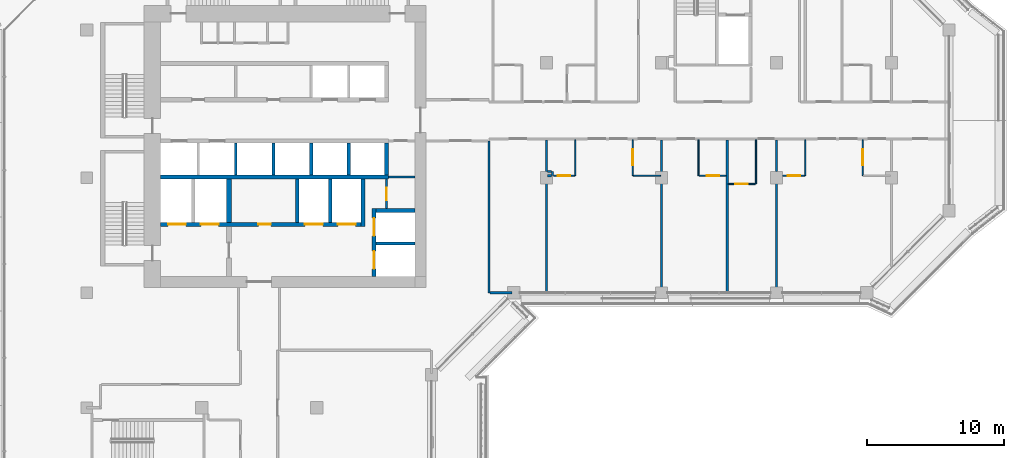
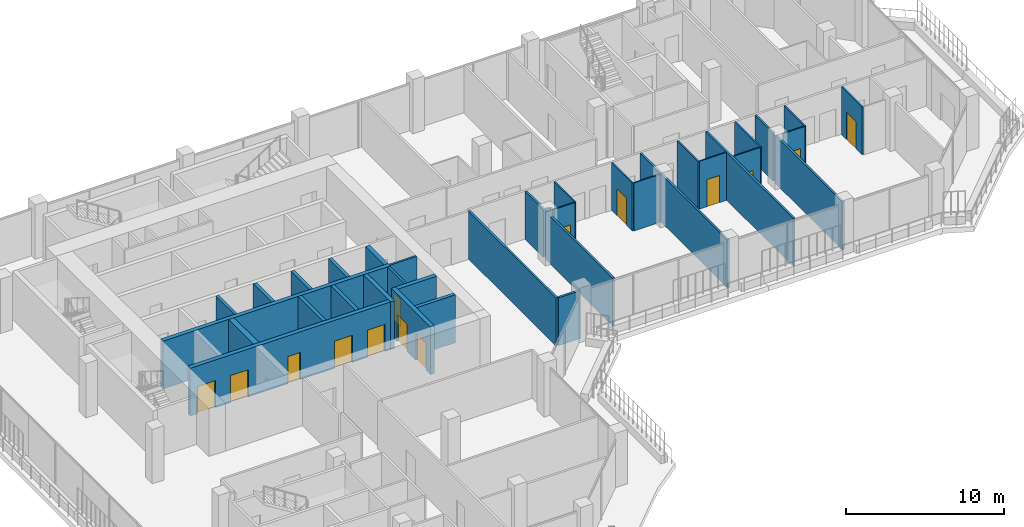
# One storey, part 11 of 23: 38 walls, 14 doors, 14 openings.
"""IFC4 building model written with IfcOpenShell, lengths in metres."""

from ifc_helpers import new_model, si_unit, direction, frame, frame_2d, origin, place, context, subcontext, project, spatial, rectangle, extrude, material, layer, layer_set, type_object, element, fill, save


model = new_model("IFC4")

# Units and contexts
model_context = context("Model", 3, precision=1e-05, world=origin(), true_north=direction((0.0, 1.0)))
body_context = subcontext(model_context, "Body", "Model", "MODEL_VIEW")
ifc_project = project(units=[si_unit("LENGTHUNIT", "METRE"), si_unit("AREAUNIT", "SQUARE_METRE"), si_unit("VOLUMEUNIT", "CUBIC_METRE"), si_unit("PLANEANGLEUNIT", "RADIAN"), si_unit("MASSUNIT", "GRAM", prefix="KILO")], contexts=[model_context])

# Site, building, storey
site_placement = place(None, origin())
site = spatial("IfcSite", under=ifc_project, at=site_placement, CompositionType="ELEMENT")
building_placement = place(site_placement, origin())
building = spatial("IfcBuilding", under=site, at=building_placement, Name="Kawkab Arch Medical Tower", CompositionType="ELEMENT")
storey_placement = place(building_placement, frame((0.0, 0.0, 268.39990234375)))
storey = spatial("IfcBuildingStorey", under=building, at=storey_placement, Name="L62", CompositionType="ELEMENT", Elevation=268.39990234375)

# Wall, opening, door
ifc_material_1 = material(Name="Gypsum board on steel studs", Category="steel")
ifc_layer_1 = layer(ifc_material_1, 0.14990234375)
ifc_layer_set_1 = layer_set([ifc_layer_1], Name="Gypsum board on steel studs")
wall_type_1 = type_object("IfcWallType", Name="Core room partition 150", PredefinedType="PARTITIONING", material=ifc_layer_set_1)
wall_1_placement = place(storey_placement, frame((21.89990234375, -19.050048828125, 0.0), z_axis=(0.0, 0.0, 1.0), x_axis=(0.0, 1.0, 0.0)))
wall_1 = element("IfcWall", 1, at=wall_1_placement, inside=storey, type_object=wall_type_1, Name="L62 core room partition", PredefinedType="PARTITIONING", context=body_context, shape_type="SweptSolid", body=[
    extrude(rectangle(XDim=2.150146484375, YDim=0.14990234375, at=frame_2d((1.0751953125, 0.0))), origin(), (0.0, 0.0, 1.0), 3.7001953125),
])
opening_1_placement = place(wall_1_placement, frame((0.625, 0.0, 0.0)))
opening_1 = element("IfcOpeningElement", 2, at=opening_1_placement, cuts=wall_1, Name="Opening RD", PredefinedType="OPENING", context=body_context, shape_type="SweptSolid", body=[
    extrude(rectangle(XDim=0.89990234375, YDim=2.10009765625, at=frame_2d((0.449951171875, 1.050048828125))), frame((0.0, 0.0849609375, 0.0), z_axis=(0.0, -1.0, 0.0), x_axis=(1.0, 0.0, 0.0)), (0.0, 0.0, 1.0), 0.169921875),
])
ifc_material_2 = material(Name="Hollow metal fire door leaf")
door_type_1 = type_object("IfcDoorType", Name="Core room door 900", OperationType="SINGLE_SWING_LEFT", PredefinedType="DOOR", material=ifc_material_2)
door_1_placement = place(opening_1_placement, origin())
door_1 = element("IfcDoor", 3, at=door_1_placement, inside=storey, type_object=door_type_1, Name="L62 Staff WC door", OperationType="SINGLE_SWING_LEFT", OverallHeight=2.10009765625, OverallWidth=0.89990234375, PredefinedType="DOOR", context=body_context, shape_type="SweptSolid", body=[
    extrude(rectangle(XDim=0.89990234375, YDim=2.10009765625, at=frame_2d((0.449951171875, 1.050048828125))), frame((0.0, 0.02490234375, 0.0), z_axis=(0.0, -1.0, 0.0), x_axis=(1.0, 0.0, 0.0)), (0.0, 0.0, 1.0), 0.050048828125),
])
fill(opening_1, door_1)

# Walls
wall_2_placement = place(storey_placement, frame((22.050048828125, -16.75, 0.0), z_axis=(0.0, 0.0, 1.0), x_axis=(1.0, 0.0, 0.0)))
element("IfcWall", 4, at=wall_2_placement, inside=storey, type_object=wall_type_1, Name="L62 core room partition", PredefinedType="PARTITIONING", context=body_context, shape_type="SweptSolid", body=[
    extrude(rectangle(XDim=1.949951171875, YDim=0.14990234375, at=frame_2d((0.97509765625, 0.0))), origin(), (0.0, 0.0, 1.0), 3.7001953125),
])
ifc_material_3 = material(Name="Concrete C60/75", Category="concrete")
ifc_layer_2 = layer(ifc_material_3, 0.25)
ifc_layer_set_2 = layer_set([ifc_layer_2], Name="Concrete C60/75")
wall_type_2 = type_object("IfcWallType", Name="Core shear wall 250 C60/75", PredefinedType="SHEAR", material=ifc_layer_set_2)
wall_3_placement = place(storey_placement, frame((21.14990234375, -21.60009765625, 0.0), z_axis=(0.0, 0.0, 1.0), x_axis=(1.0, 0.0, 0.0)))
element("IfcWall", 5, at=wall_3_placement, inside=storey, type_object=wall_type_2, Name="L62 core shear wall", PredefinedType="SHEAR", context=body_context, shape_type="SweptSolid", body=[
    extrude(rectangle(XDim=2.85009765625, YDim=0.25, at=frame_2d((1.425048828125, 0.0))), origin(), (0.0, 0.0, 1.0), 3.7001953125),
])
for number, where, z_axis, x_axis, name in (
    (6, (15.39990234375, -20.050048828125, 0.0), (0.0, 0.0, 1.0), (0.0, 1.0, 0.0), "L62 core shear wall"),
    (7, (17.800048828125, -20.050048828125, 0.0), (0.0, 0.0, 1.0), (0.0, 1.0, 0.0), "L62 core shear wall"),
):
    element("IfcWall", number, at=place(storey_placement, frame(where, z_axis=z_axis, x_axis=x_axis)), inside=storey, type_object=wall_type_2, Name=name, PredefinedType="SHEAR", context=body_context, shape_type="SweptSolid", body=[
        extrude(rectangle(XDim=3.150146484375, YDim=0.25, at=frame_2d((1.5751953125, 0.0))), origin(), (0.0, 0.0, 1.0), 3.7001953125),
    ])
for number, where, z_axis, x_axis, name in (
    (8, (13.64990234375, -16.60009765625, 0.0), (0.0, 0.0, 1.0), (0.0, 1.0, 0.0), "L62 core shear wall"),
    (9, (16.39990234375, -16.60009765625, 0.0), (0.0, 0.0, 1.0), (0.0, 1.0, 0.0), "L62 core shear wall"),
    (10, (19.14990234375, -16.60009765625, 0.0), (0.0, 0.0, 1.0), (0.0, 1.0, 0.0), "L62 core shear wall"),
):
    element("IfcWall", number, at=place(storey_placement, frame(where, z_axis=z_axis, x_axis=x_axis)), inside=storey, type_object=wall_type_2, Name=name, PredefinedType="SHEAR", context=body_context, shape_type="SweptSolid", body=[
        extrude(rectangle(XDim=2.35009765625, YDim=0.25, at=frame_2d((1.175048828125, 0.0))), origin(), (0.0, 0.0, 1.0), 3.7001953125),
    ])
ifc_material_4 = material(Name="Concrete C60/75", Category="concrete")
ifc_layer_3 = layer(ifc_material_4, 0.300048828125)
ifc_layer_set_3 = layer_set([ifc_layer_3], Name="Concrete C60/75")
wall_type_3 = type_object("IfcWallType", Name="Core shear wall 300 C60/75", PredefinedType="SHEAR", material=ifc_layer_set_3)
wall_4_placement = place(storey_placement, frame((5.39990234375, -16.75, 0.0), z_axis=(0.0, 0.0, 1.0), x_axis=(1.0, 0.0, 0.0)))
element("IfcWall", 11, at=wall_4_placement, inside=storey, type_object=wall_type_3, Name="L62 core shear wall", PredefinedType="SHEAR", context=body_context, shape_type="SweptSolid", body=[
    extrude(rectangle(XDim=16.650146484375, YDim=0.300048828125, at=frame_2d((8.3251953125, 0.0))), origin(), (0.0, 0.0, 1.0), 3.7001953125),
])

# Wall, openings, doors
wall_5_placement = place(storey_placement, frame((5.39990234375, -20.199951171875, 0.0), z_axis=(0.0, 0.0, 1.0), x_axis=(1.0, 0.0, 0.0)))
wall_5 = element("IfcWall", 12, at=wall_5_placement, inside=storey, type_object=wall_type_3, Name="L62 core shear wall", PredefinedType="SHEAR", context=body_context, shape_type="SweptSolid", body=[
    extrude(rectangle(XDim=14.650146484375, YDim=0.300048828125, at=frame_2d((7.3251953125, 0.0))), origin(), (0.0, 0.0, 1.0), 3.7001953125),
])
opening_2_placement = place(wall_5_placement, frame((10.550048828125, 0.0, 0.0)))
opening_2 = element("IfcOpeningElement", 13, at=opening_2_placement, cuts=wall_5, Name="Opening LD2", PredefinedType="OPENING", context=body_context, shape_type="SweptSolid", body=[
    extrude(rectangle(XDim=1.300048828125, YDim=2.10009765625, at=frame_2d((0.64990234375, 1.050048828125))), frame((0.0, 0.159912109375, 0.0), z_axis=(0.0, -1.0, 0.0), x_axis=(1.0, 0.0, 0.0)), (0.0, 0.0, 1.0), 0.320068359375),
])
opening_3_placement = place(wall_5_placement, frame((12.949951171875, 0.0, 0.0)))
opening_3 = element("IfcOpeningElement", 14, at=opening_3_placement, cuts=wall_5, Name="Opening LD2", PredefinedType="OPENING", context=body_context, shape_type="SweptSolid", body=[
    extrude(rectangle(XDim=1.300048828125, YDim=2.10009765625, at=frame_2d((0.64990234375, 1.050048828125))), frame((0.0, 0.159912109375, 0.0), z_axis=(0.0, -1.0, 0.0), x_axis=(1.0, 0.0, 0.0)), (0.0, 0.0, 1.0), 0.320068359375),
])
opening_4_placement = place(wall_5_placement, frame((0.550048828125, 0.0, 0.0)))
opening_4 = element("IfcOpeningElement", 15, at=opening_4_placement, cuts=wall_5, Name="Opening LD2", PredefinedType="OPENING", context=body_context, shape_type="SweptSolid", body=[
    extrude(rectangle(XDim=1.300048828125, YDim=2.10009765625, at=frame_2d((0.64990234375, 1.050048828125))), frame((0.0, 0.159912109375, 0.0), z_axis=(0.0, -1.0, 0.0), x_axis=(1.0, 0.0, 0.0)), (0.0, 0.0, 1.0), 0.320068359375),
])
opening_5_placement = place(wall_5_placement, frame((2.949951171875, 0.0, 0.0)))
opening_5 = element("IfcOpeningElement", 16, at=opening_5_placement, cuts=wall_5, Name="Opening LD2", PredefinedType="OPENING", context=body_context, shape_type="SweptSolid", body=[
    extrude(rectangle(XDim=1.300048828125, YDim=2.10009765625, at=frame_2d((0.64990234375, 1.050048828125))), frame((0.0, 0.159912109375, 0.0), z_axis=(0.0, -1.0, 0.0), x_axis=(1.0, 0.0, 0.0)), (0.0, 0.0, 1.0), 0.320068359375),
])
opening_6_placement = place(wall_5_placement, frame((7.14990234375, 0.0, 0.0)))
opening_6 = element("IfcOpeningElement", 17, at=opening_6_placement, cuts=wall_5, Name="Opening RD", PredefinedType="OPENING", context=body_context, shape_type="SweptSolid", body=[
    extrude(rectangle(XDim=0.89990234375, YDim=2.10009765625, at=frame_2d((0.449951171875, 1.050048828125))), frame((0.0, 0.159912109375, 0.0), z_axis=(0.0, -1.0, 0.0), x_axis=(1.0, 0.0, 0.0)), (0.0, 0.0, 1.0), 0.320068359375),
])
door_2_placement = place(opening_6_placement, origin())
door_2 = element("IfcDoor", 18, at=door_2_placement, inside=storey, type_object=door_type_1, Name="L62 Housekeeping store door", OperationType="SINGLE_SWING_LEFT", OverallHeight=2.10009765625, OverallWidth=0.89990234375, PredefinedType="DOOR", context=body_context, shape_type="SweptSolid", body=[
    extrude(rectangle(XDim=0.89990234375, YDim=2.10009765625, at=frame_2d((0.449951171875, 1.050048828125))), frame((0.0, 0.02490234375, 0.0), z_axis=(0.0, -1.0, 0.0), x_axis=(1.0, 0.0, 0.0)), (0.0, 0.0, 1.0), 0.050048828125),
])
fill(opening_6, door_2)
ifc_material_5 = material(Name="Stainless steel lift door leaf", Category="steel")
door_type_2 = type_object("IfcDoorType", Name="Lift landing door 1300", OperationType="DOUBLE_DOOR_SLIDING", PredefinedType="DOOR", material=ifc_material_5)
door_3_placement = place(opening_2_placement, origin())
door_3 = element("IfcDoor", 19, at=door_3_placement, inside=storey, type_object=door_type_2, Name="L62 Lift landing door BD3", OperationType="DOUBLE_DOOR_SLIDING", OverallHeight=2.10009765625, OverallWidth=1.300048828125, PredefinedType="DOOR", context=body_context, shape_type="SweptSolid", body=[
    extrude(rectangle(XDim=1.300048828125, YDim=2.10009765625, at=frame_2d((0.64990234375, 1.050048828125))), frame((0.0, 0.02490234375, 0.0), z_axis=(0.0, -1.0, 0.0), x_axis=(1.0, 0.0, 0.0)), (0.0, 0.0, 1.0), 0.050048828125),
])
fill(opening_2, door_3)
door_4_placement = place(opening_3_placement, origin())
door_4 = element("IfcDoor", 20, at=door_4_placement, inside=storey, type_object=door_type_2, Name="L62 Lift landing door BD4", OperationType="DOUBLE_DOOR_SLIDING", OverallHeight=2.10009765625, OverallWidth=1.300048828125, PredefinedType="DOOR", context=body_context, shape_type="SweptSolid", body=[
    extrude(rectangle(XDim=1.300048828125, YDim=2.10009765625, at=frame_2d((0.64990234375, 1.050048828125))), frame((0.0, 0.02490234375, 0.0), z_axis=(0.0, -1.0, 0.0), x_axis=(1.0, 0.0, 0.0)), (0.0, 0.0, 1.0), 0.050048828125),
])
fill(opening_3, door_4)
door_5_placement = place(opening_4_placement, origin())
door_5 = element("IfcDoor", 21, at=door_5_placement, inside=storey, type_object=door_type_2, Name="L62 Lift landing door FL1", OperationType="DOUBLE_DOOR_SLIDING", OverallHeight=2.10009765625, OverallWidth=1.300048828125, PredefinedType="DOOR", context=body_context, shape_type="SweptSolid", body=[
    extrude(rectangle(XDim=1.300048828125, YDim=2.10009765625, at=frame_2d((0.64990234375, 1.050048828125))), frame((0.0, 0.02490234375, 0.0), z_axis=(0.0, -1.0, 0.0), x_axis=(1.0, 0.0, 0.0)), (0.0, 0.0, 1.0), 0.050048828125),
])
fill(opening_4, door_5)
door_6_placement = place(opening_5_placement, origin())
door_6 = element("IfcDoor", 22, at=door_6_placement, inside=storey, type_object=door_type_2, Name="L62 Lift landing door FL2", OperationType="DOUBLE_DOOR_SLIDING", OverallHeight=2.10009765625, OverallWidth=1.300048828125, PredefinedType="DOOR", context=body_context, shape_type="SweptSolid", body=[
    extrude(rectangle(XDim=1.300048828125, YDim=2.10009765625, at=frame_2d((0.64990234375, 1.050048828125))), frame((0.0, 0.02490234375, 0.0), z_axis=(0.0, -1.0, 0.0), x_axis=(1.0, 0.0, 0.0)), (0.0, 0.0, 1.0), 0.050048828125),
])
fill(opening_5, door_6)

# Walls
wall_6_placement = place(storey_placement, frame((20.199951171875, -20.35009765625, 0.0), z_axis=(0.0, 0.0, 1.0), x_axis=(0.0, 1.0, 0.0)))
element("IfcWall", 23, at=wall_6_placement, inside=storey, type_object=wall_type_3, Name="L62 core shear wall", PredefinedType="SHEAR", context=body_context, shape_type="SweptSolid", body=[
    extrude(rectangle(XDim=3.4501953125, YDim=0.300048828125, at=frame_2d((1.72509765625, 0.0))), origin(), (0.0, 0.0, 1.0), 3.7001953125),
])
wall_7_placement = place(storey_placement, frame((21.89990234375, -16.60009765625, 0.0), z_axis=(0.0, 0.0, 1.0), x_axis=(0.0, 1.0, 0.0)))
element("IfcWall", 24, at=wall_7_placement, inside=storey, type_object=wall_type_3, Name="L62 core shear wall", PredefinedType="SHEAR", context=body_context, shape_type="SweptSolid", body=[
    extrude(rectangle(XDim=2.35009765625, YDim=0.300048828125, at=frame_2d((1.175048828125, 0.0))), origin(), (0.0, 0.0, 1.0), 3.7001953125),
])
wall_8_placement = place(storey_placement, frame((21.14990234375, -19.199951171875, 0.0), z_axis=(0.0, 0.0, 1.0), x_axis=(1.0, 0.0, 0.0)))
element("IfcWall", 25, at=wall_8_placement, inside=storey, type_object=wall_type_3, Name="L62 core shear wall", PredefinedType="SHEAR", context=body_context, shape_type="SweptSolid", body=[
    extrude(rectangle(XDim=2.85009765625, YDim=0.300048828125, at=frame_2d((1.425048828125, 0.0))), origin(), (0.0, 0.0, 1.0), 3.7001953125),
])

# Wall, openings, doors
wall_9_placement = place(storey_placement, frame((21.0, -24.0, 0.0), z_axis=(0.0, 0.0, 1.0), x_axis=(0.0, 1.0, 0.0)))
wall_9 = element("IfcWall", 26, at=wall_9_placement, inside=storey, type_object=wall_type_3, Name="L62 core shear wall", PredefinedType="SHEAR", context=body_context, shape_type="SweptSolid", body=[
    extrude(rectangle(XDim=4.949951171875, YDim=0.300048828125, at=frame_2d((2.47509765625, 0.0))), origin(), (0.0, 0.0, 1.0), 3.7001953125),
])
opening_7_placement = place(wall_9_placement, frame((2.949951171875, 0.0, 0.0)))
opening_7 = element("IfcOpeningElement", 27, at=opening_7_placement, cuts=wall_9, Name="Opening LD2", PredefinedType="OPENING", context=body_context, shape_type="SweptSolid", body=[
    extrude(rectangle(XDim=1.300048828125, YDim=2.10009765625, at=frame_2d((0.64990234375, 1.050048828125))), frame((0.0, 0.159912109375, 0.0), z_axis=(0.0, -1.0, 0.0), x_axis=(1.0, 0.0, 0.0)), (0.0, 0.0, 1.0), 0.320068359375),
])
opening_8_placement = place(wall_9_placement, frame((0.550048828125, 0.0, 0.0)))
opening_8 = element("IfcOpeningElement", 28, at=opening_8_placement, cuts=wall_9, Name="Opening LD2", PredefinedType="OPENING", context=body_context, shape_type="SweptSolid", body=[
    extrude(rectangle(XDim=1.300048828125, YDim=2.10009765625, at=frame_2d((0.64990234375, 1.050048828125))), frame((0.0, 0.159912109375, 0.0), z_axis=(0.0, -1.0, 0.0), x_axis=(1.0, 0.0, 0.0)), (0.0, 0.0, 1.0), 0.320068359375),
])
door_7_placement = place(opening_7_placement, origin())
door_7 = element("IfcDoor", 29, at=door_7_placement, inside=storey, type_object=door_type_2, Name="L62 Lift landing door BD1", OperationType="DOUBLE_DOOR_SLIDING", OverallHeight=2.10009765625, OverallWidth=1.300048828125, PredefinedType="DOOR", context=body_context, shape_type="SweptSolid", body=[
    extrude(rectangle(XDim=1.300048828125, YDim=2.10009765625, at=frame_2d((0.64990234375, 1.050048828125))), frame((0.0, 0.02490234375, 0.0), z_axis=(0.0, -1.0, 0.0), x_axis=(1.0, 0.0, 0.0)), (0.0, 0.0, 1.0), 0.050048828125),
])
fill(opening_7, door_7)
door_8_placement = place(opening_8_placement, origin())
door_8 = element("IfcDoor", 30, at=door_8_placement, inside=storey, type_object=door_type_2, Name="L62 Lift landing door BD2", OperationType="DOUBLE_DOOR_SLIDING", OverallHeight=2.10009765625, OverallWidth=1.300048828125, PredefinedType="DOOR", context=body_context, shape_type="SweptSolid", body=[
    extrude(rectangle(XDim=1.300048828125, YDim=2.10009765625, at=frame_2d((0.64990234375, 1.050048828125))), frame((0.0, 0.02490234375, 0.0), z_axis=(0.0, -1.0, 0.0), x_axis=(1.0, 0.0, 0.0)), (0.0, 0.0, 1.0), 0.050048828125),
])
fill(opening_8, door_8)

# Walls
ifc_material_6 = material(Name="Concrete C60/75", Category="concrete")
ifc_layer_4 = layer(ifc_material_6, 0.39990234375)
ifc_layer_set_4 = layer_set([ifc_layer_4], Name="Concrete C60/75")
wall_type_4 = type_object("IfcWallType", Name="Core shear wall 400 C60/75", PredefinedType="SHEAR", material=ifc_layer_set_4)
wall_10_placement = place(storey_placement, frame((10.39990234375, -20.050048828125, 0.0), z_axis=(0.0, 0.0, 1.0), x_axis=(0.0, 1.0, 0.0)))
element("IfcWall", 31, at=wall_10_placement, inside=storey, type_object=wall_type_4, Name="L62 core shear wall", PredefinedType="SHEAR", context=body_context, shape_type="SweptSolid", body=[
    extrude(rectangle(XDim=3.150146484375, YDim=0.39990234375, at=frame_2d((1.5751953125, 0.0))), origin(), (0.0, 0.0, 1.0), 3.7001953125),
])
ifc_material_7 = material(Name="Dense concrete blockwork", Category="masonry")
ifc_layer_5 = layer(ifc_material_7, 0.199951171875)
ifc_layer_set_5 = layer_set([ifc_layer_5], Name="Dense concrete blockwork")
wall_type_5 = type_object("IfcWallType", Name="Lift shaft partition 200", PredefinedType="PARTITIONING", material=ifc_layer_set_5)
wall_11_placement = place(storey_placement, frame((10.89990234375, -16.60009765625, 0.0), z_axis=(0.0, 0.0, 1.0), x_axis=(0.0, 1.0, 0.0)))
element("IfcWall", 32, at=wall_11_placement, inside=storey, type_object=wall_type_5, Name="L62 lift shaft partition", PredefinedType="PARTITIONING", context=body_context, shape_type="SweptSolid", body=[
    extrude(rectangle(XDim=2.35009765625, YDim=0.199951171875, at=frame_2d((1.175048828125, 0.0))), origin(), (0.0, 0.0, 1.0), 3.7001953125),
])

# Wall, opening, door
ifc_material_8 = material(Name="Gypsum board partition on steel studs", Category="steel")
ifc_layer_6 = layer(ifc_material_8, 0.10009765625)
ifc_layer_set_6 = layer_set([ifc_layer_6], Name="Gypsum board partition on steel studs")
wall_type_6 = type_object("IfcWallType", Name="Partition 100", PredefinedType="PARTITIONING", material=ifc_layer_set_6)
wall_12_placement = place(storey_placement, frame((46.875, -17.25, 0.0), z_axis=(0.0, 0.0, 1.0), x_axis=(1.0, 0.0, 0.0)))
wall_12 = element("IfcWall", 33, at=wall_12_placement, inside=storey, type_object=wall_type_6, Name="Partition 100 w001", PredefinedType="PARTITIONING", context=body_context, shape_type="SweptSolid", body=[
    extrude(rectangle(XDim=1.97509765625, YDim=0.10009765625, at=frame_2d((0.987548828125, 0.0))), origin(), (0.0, 0.0, 1.0), 3.7001953125),
])
opening_9_placement = place(wall_12_placement, frame((0.52490234375, 0.0, 0.0)))
opening_9 = element("IfcOpeningElement", 34, at=opening_9_placement, cuts=wall_12, Name="Opening W57-006", PredefinedType="OPENING", context=body_context, shape_type="SweptSolid", body=[
    extrude(rectangle(XDim=0.89990234375, YDim=2.10009765625, at=frame_2d((0.449951171875, 1.050048828125))), frame((0.0, 0.06005859375, 0.0), z_axis=(0.0, -1.0, 0.0), x_axis=(1.0, 0.0, 0.0)), (0.0, 0.0, 1.0), 0.1201171875),
])
ifc_material_9 = material(Name="Timber door leaf", Category="wood")
door_type_3 = type_object("IfcDoorType", Name="Single door 900x2100", OperationType="NOTDEFINED", PredefinedType="DOOR", material=ifc_material_9)
door_9_placement = place(opening_9_placement, origin())
door_9 = element("IfcDoor", 35, at=door_9_placement, inside=storey, type_object=door_type_3, Name="Door W57-006", OperationType="SINGLE_SWING_RIGHT", OverallHeight=2.10009765625, OverallWidth=0.89990234375, PredefinedType="DOOR", context=body_context, shape_type="SweptSolid", body=[
    extrude(rectangle(XDim=0.89990234375, YDim=2.10009765625, at=frame_2d((0.449951171875, 1.050048828125))), frame((0.0, 0.02490234375, 0.0), z_axis=(0.0, -1.0, 0.0), x_axis=(1.0, 0.0, 0.0)), (0.0, 0.0, 1.0), 0.050048828125),
])
fill(opening_9, door_9)

wall_13_placement = place(storey_placement, frame((34.125, -16.64990234375, 0.0), z_axis=(0.0, 0.0, 1.0), x_axis=(1.0, 0.0, 0.0)))
wall_13 = element("IfcWall", 36, at=wall_13_placement, inside=storey, type_object=wall_type_6, Name="Partition 100 w002", PredefinedType="PARTITIONING", context=body_context, shape_type="SweptSolid", body=[
    extrude(rectangle(XDim=1.52490234375, YDim=0.10009765625, at=frame_2d((0.762451171875, 0.0))), origin(), (0.0, 0.0, 1.0), 3.7001953125),
])
opening_10_placement = place(wall_13_placement, frame((0.300048828125, 0.0, 0.0)))
opening_10 = element("IfcOpeningElement", 37, at=opening_10_placement, cuts=wall_13, Name="Opening W57-004", PredefinedType="OPENING", context=body_context, shape_type="SweptSolid", body=[
    extrude(rectangle(XDim=0.89990234375, YDim=2.10009765625, at=frame_2d((0.449951171875, 1.050048828125))), frame((0.0, 0.06005859375, 0.0), z_axis=(0.0, -1.0, 0.0), x_axis=(1.0, 0.0, 0.0)), (0.0, 0.0, 1.0), 0.1201171875),
])
door_10_placement = place(opening_10_placement, origin())
door_10 = element("IfcDoor", 38, at=door_10_placement, inside=storey, type_object=door_type_3, Name="Door W57-004", OperationType="SINGLE_SWING_RIGHT", OverallHeight=2.10009765625, OverallWidth=0.89990234375, PredefinedType="DOOR", context=body_context, shape_type="SweptSolid", body=[
    extrude(rectangle(XDim=0.89990234375, YDim=2.10009765625, at=frame_2d((0.449951171875, 1.050048828125))), frame((0.0, 0.02490234375, 0.0), z_axis=(0.0, -1.0, 0.0), x_axis=(1.0, 0.0, 0.0)), (0.0, 0.0, 1.0), 0.050048828125),
])
fill(opening_10, door_10)

# Wall
wall_14_placement = place(storey_placement, frame((39.949951171875, -16.64990234375, 0.0), z_axis=(0.0, 0.0, 1.0), x_axis=(1.0, 0.0, 0.0)))
element("IfcWall", 39, at=wall_14_placement, inside=storey, type_object=wall_type_6, Name="Partition 100 w003", PredefinedType="PARTITIONING", context=body_context, shape_type="SweptSolid", body=[
    extrude(rectangle(XDim=1.97509765625, YDim=0.10009765625, at=frame_2d((0.987548828125, 0.0))), origin(), (0.0, 0.0, 1.0), 3.7001953125),
])

# Wall, opening, door
wall_15_placement = place(storey_placement, frame((44.75, -16.64990234375, 0.0), z_axis=(0.0, 0.0, 1.0), x_axis=(1.0, 0.0, 0.0)))
wall_15 = element("IfcWall", 40, at=wall_15_placement, inside=storey, type_object=wall_type_6, Name="Partition 100 w004", PredefinedType="PARTITIONING", context=body_context, shape_type="SweptSolid", body=[
    extrude(rectangle(XDim=1.97509765625, YDim=0.10009765625, at=frame_2d((0.987548828125, 0.0))), origin(), (0.0, 0.0, 1.0), 3.7001953125),
])
opening_11_placement = place(wall_15_placement, frame((0.550048828125, 0.0, 0.0)))
opening_11 = element("IfcOpeningElement", 41, at=opening_11_placement, cuts=wall_15, Name="Opening W57-005", PredefinedType="OPENING", context=body_context, shape_type="SweptSolid", body=[
    extrude(rectangle(XDim=0.89990234375, YDim=2.10009765625, at=frame_2d((0.449951171875, 1.050048828125))), frame((0.0, 0.06005859375, 0.0), z_axis=(0.0, -1.0, 0.0), x_axis=(1.0, 0.0, 0.0)), (0.0, 0.0, 1.0), 0.1201171875),
])
door_11_placement = place(opening_11_placement, origin())
door_11 = element("IfcDoor", 42, at=door_11_placement, inside=storey, type_object=door_type_3, Name="Door W57-005", OperationType="SINGLE_SWING_RIGHT", OverallHeight=2.10009765625, OverallWidth=0.89990234375, PredefinedType="DOOR", context=body_context, shape_type="SweptSolid", body=[
    extrude(rectangle(XDim=0.89990234375, YDim=2.10009765625, at=frame_2d((0.449951171875, 1.050048828125))), frame((0.0, 0.02490234375, 0.0), z_axis=(0.0, -1.0, 0.0), x_axis=(1.0, 0.0, 0.0)), (0.0, 0.0, 1.0), 0.050048828125),
])
fill(opening_11, door_11)

wall_16_placement = place(storey_placement, frame((50.85009765625, -16.64990234375, 0.0), z_axis=(0.0, 0.0, 1.0), x_axis=(1.0, 0.0, 0.0)))
wall_16 = element("IfcWall", 43, at=wall_16_placement, inside=storey, type_object=wall_type_6, Name="Partition 100 w005", PredefinedType="PARTITIONING", context=body_context, shape_type="SweptSolid", body=[
    extrude(rectangle(XDim=1.599853515625, YDim=0.10009765625, at=frame_2d((0.7998046875, 0.0))), origin(), (0.0, 0.0, 1.0), 3.7001953125),
])
opening_12_placement = place(wall_16_placement, frame((0.375, 0.0, 0.0)))
opening_12 = element("IfcOpeningElement", 44, at=opening_12_placement, cuts=wall_16, Name="Opening W57-007", PredefinedType="OPENING", context=body_context, shape_type="SweptSolid", body=[
    extrude(rectangle(XDim=0.89990234375, YDim=2.10009765625, at=frame_2d((0.449951171875, 1.050048828125))), frame((0.0, 0.06005859375, 0.0), z_axis=(0.0, -1.0, 0.0), x_axis=(1.0, 0.0, 0.0)), (0.0, 0.0, 1.0), 0.1201171875),
])
door_12_placement = place(opening_12_placement, origin())
door_12 = element("IfcDoor", 45, at=door_12_placement, inside=storey, type_object=door_type_3, Name="Door W57-007", OperationType="SINGLE_SWING_LEFT", OverallHeight=2.10009765625, OverallWidth=0.89990234375, PredefinedType="DOOR", context=body_context, shape_type="SweptSolid", body=[
    extrude(rectangle(XDim=0.89990234375, YDim=2.10009765625, at=frame_2d((0.449951171875, 1.050048828125))), frame((0.0, 0.02490234375, 0.0), z_axis=(0.0, -1.0, 0.0), x_axis=(1.0, 0.0, 0.0)), (0.0, 0.0, 1.0), 0.050048828125),
])
fill(opening_12, door_12)

# Wall
wall_17_placement = place(storey_placement, frame((35.699951171875, -16.64990234375, 0.0), z_axis=(0.0, 0.0, 1.0), x_axis=(0.0, 1.0, 0.0)))
element("IfcWall", 46, at=wall_17_placement, inside=storey, type_object=wall_type_6, Name="Partition 100 w012", PredefinedType="PARTITIONING", context=body_context, shape_type="SweptSolid", body=[
    extrude(rectangle(XDim=2.625, YDim=0.10009765625, at=frame_2d((1.3125, 0.0))), origin(), (0.0, 0.0, 1.0), 3.7001953125),
])

# Wall, opening, door
wall_18_placement = place(storey_placement, frame((39.89990234375, -16.64990234375, 0.0), z_axis=(0.0, 0.0, 1.0), x_axis=(0.0, 1.0, 0.0)))
wall_18 = element("IfcWall", 47, at=wall_18_placement, inside=storey, type_object=wall_type_6, Name="Partition 100 w013", PredefinedType="PARTITIONING", context=body_context, shape_type="SweptSolid", body=[
    extrude(rectangle(XDim=2.625, YDim=0.10009765625, at=frame_2d((1.3125, 0.0))), origin(), (0.0, 0.0, 1.0), 3.7001953125),
])
opening_13_placement = place(wall_18_placement, frame((0.75, 0.0, 0.0)))
opening_13 = element("IfcOpeningElement", 48, at=opening_13_placement, cuts=wall_18, Name="Opening W57-031", PredefinedType="OPENING", context=body_context, shape_type="SweptSolid", body=[
    extrude(rectangle(XDim=1.199951171875, YDim=2.10009765625, at=frame_2d((0.60009765625, 1.050048828125))), frame((0.0, 0.06005859375, 0.0), z_axis=(0.0, -1.0, 0.0), x_axis=(1.0, 0.0, 0.0)), (0.0, 0.0, 1.0), 0.1201171875),
])
ifc_material_10 = material(Name="Timber door leaf", Category="wood")
door_type_4 = type_object("IfcDoorType", Name="Single door 1200x2100", OperationType="NOTDEFINED", PredefinedType="DOOR", material=ifc_material_10)
door_13_placement = place(opening_13_placement, origin())
door_13 = element("IfcDoor", 49, at=door_13_placement, inside=storey, type_object=door_type_4, Name="Door W57-031", OperationType="SINGLE_SWING_RIGHT", OverallHeight=2.10009765625, OverallWidth=1.199951171875, PredefinedType="DOOR", context=body_context, shape_type="SweptSolid", body=[
    extrude(rectangle(XDim=1.199951171875, YDim=2.10009765625, at=frame_2d((0.60009765625, 1.050048828125))), frame((0.0, 0.02490234375, 0.0), z_axis=(0.0, -1.0, 0.0), x_axis=(1.0, 0.0, 0.0)), (0.0, 0.0, 1.0), 0.050048828125),
])
fill(opening_13, door_13)

# Walls
wall_19_placement = place(storey_placement, frame((44.699951171875, -16.64990234375, 0.0), z_axis=(0.0, 0.0, 1.0), x_axis=(0.0, 1.0, 0.0)))
element("IfcWall", 50, at=wall_19_placement, inside=storey, type_object=wall_type_6, Name="Partition 100 w014", PredefinedType="PARTITIONING", context=body_context, shape_type="SweptSolid", body=[
    extrude(rectangle(XDim=2.625, YDim=0.10009765625, at=frame_2d((1.3125, 0.0))), origin(), (0.0, 0.0, 1.0), 3.7001953125),
])
wall_20_placement = place(storey_placement, frame((48.89990234375, -17.25, 0.0), z_axis=(0.0, 0.0, 1.0), x_axis=(0.0, 1.0, 0.0)))
element("IfcWall", 51, at=wall_20_placement, inside=storey, type_object=wall_type_6, Name="Partition 100 w015", PredefinedType="PARTITIONING", context=body_context, shape_type="SweptSolid", body=[
    extrude(rectangle(XDim=3.22509765625, YDim=0.10009765625, at=frame_2d((1.612548828125, 0.0))), origin(), (0.0, 0.0, 1.0), 3.7001953125),
])
wall_21_placement = place(storey_placement, frame((52.5, -16.64990234375, 0.0), z_axis=(0.0, 0.0, 1.0), x_axis=(0.0, 1.0, 0.0)))
element("IfcWall", 52, at=wall_21_placement, inside=storey, type_object=wall_type_6, Name="Partition 100 w016", PredefinedType="PARTITIONING", context=body_context, shape_type="SweptSolid", body=[
    extrude(rectangle(XDim=2.625, YDim=0.10009765625, at=frame_2d((1.3125, 0.0))), origin(), (0.0, 0.0, 1.0), 3.7001953125),
])

# Wall, opening, door
wall_22_placement = place(storey_placement, frame((56.699951171875, -16.64990234375, 0.0), z_axis=(0.0, 0.0, 1.0), x_axis=(0.0, 1.0, 0.0)))
wall_22 = element("IfcWall", 53, at=wall_22_placement, inside=storey, type_object=wall_type_6, Name="Partition 100 w017", PredefinedType="PARTITIONING", context=body_context, shape_type="SweptSolid", body=[
    extrude(rectangle(XDim=2.625, YDim=0.10009765625, at=frame_2d((1.3125, 0.0))), origin(), (0.0, 0.0, 1.0), 3.7001953125),
])
opening_14_placement = place(wall_22_placement, frame((0.75, 0.0, 0.0)))
opening_14 = element("IfcOpeningElement", 54, at=opening_14_placement, cuts=wall_22, Name="Opening W57-036", PredefinedType="OPENING", context=body_context, shape_type="SweptSolid", body=[
    extrude(rectangle(XDim=1.199951171875, YDim=2.10009765625, at=frame_2d((0.60009765625, 1.050048828125))), frame((0.0, 0.06005859375, 0.0), z_axis=(0.0, -1.0, 0.0), x_axis=(1.0, 0.0, 0.0)), (0.0, 0.0, 1.0), 0.1201171875),
])
door_14_placement = place(opening_14_placement, origin())
door_14 = element("IfcDoor", 55, at=door_14_placement, inside=storey, type_object=door_type_4, Name="Door W57-036", OperationType="SINGLE_SWING_LEFT", OverallHeight=2.10009765625, OverallWidth=1.199951171875, PredefinedType="DOOR", context=body_context, shape_type="SweptSolid", body=[
    extrude(rectangle(XDim=1.199951171875, YDim=2.10009765625, at=frame_2d((0.60009765625, 1.050048828125))), frame((0.0, 0.02490234375, 0.0), z_axis=(0.0, -1.0, 0.0), x_axis=(1.0, 0.0, 0.0)), (0.0, 0.0, 1.0), 0.050048828125),
])
fill(opening_14, door_14)

# Walls
ifc_material_11 = material(Name="Gypsum board partition on steel studs, mineral wool", Category="steel")
ifc_layer_7 = layer(ifc_material_11, 0.14990234375)
ifc_layer_set_7 = layer_set([ifc_layer_7], Name="Gypsum board partition on steel studs, mineral wool")
wall_type_7 = type_object("IfcWallType", Name="Partition 150", PredefinedType="PARTITIONING", material=ifc_layer_set_7)
wall_23_placement = place(storey_placement, frame((29.47509765625, -25.199951171875, 0.0), z_axis=(0.0, 0.0, 1.0), x_axis=(1.0, 0.0, 0.0)))
element("IfcWall", 56, at=wall_23_placement, inside=storey, type_object=wall_type_7, Name="Partition 150 w029", PredefinedType="PARTITIONING", context=body_context, shape_type="SweptSolid", body=[
    extrude(rectangle(XDim=1.61181640625, YDim=0.14990234375, at=frame_2d((0.805908203125, 0.0))), origin(), (0.0, 0.0, 1.0), 3.7001953125),
])
for number, where, z_axis, x_axis, name in (
    (57, (33.677001953125, -16.64990234375, 0.0), (0.0, 0.0, 1.0), (1.0, 0.0, 0.0), "Partition 150 w030"),
    (58, (33.677001953125, -16.35009765625, 0.0), (0.0, 0.0, 1.0), (1.0, 0.0, 0.0), "Partition 150 w031"),
):
    element("IfcWall", number, at=place(storey_placement, frame(where, z_axis=z_axis, x_axis=x_axis)), inside=storey, type_object=wall_type_7, Name=name, PredefinedType="PARTITIONING", context=body_context, shape_type="SweptSolid", body=[
        extrude(rectangle(XDim=0.298095703125, YDim=0.14990234375, at=frame_2d((0.14892578125, 0.0))), origin(), (0.0, 0.0, 1.0), 3.7001953125),
    ])
wall_24_placement = place(storey_placement, frame((29.39990234375, -25.199951171875, 0.0), z_axis=(0.0, 0.0, 1.0), x_axis=(0.0, 1.0, 0.0)))
element("IfcWall", 59, at=wall_24_placement, inside=storey, type_object=wall_type_7, Name="Partition 150 w053", PredefinedType="PARTITIONING", context=body_context, shape_type="SweptSolid", body=[
    extrude(rectangle(XDim=11.099853515625, YDim=0.14990234375, at=frame_2d((5.5498046875, 0.0))), origin(), (0.0, 0.0, 1.0), 3.7001953125),
])
wall_25_placement = place(storey_placement, frame((33.60009765625, -25.1201171875, 0.0), z_axis=(0.0, 0.0, 1.0), x_axis=(0.0, 1.0, 0.0)))
element("IfcWall", 60, at=wall_25_placement, inside=storey, type_object=wall_type_7, Name="Partition 150 w055", PredefinedType="PARTITIONING", context=body_context, shape_type="SweptSolid", body=[
    extrude(rectangle(XDim=8.468017578125, YDim=0.14990234375, at=frame_2d((4.23388671875, 0.0))), origin(), (0.0, 0.0, 1.0), 3.7001953125),
])
wall_26_placement = place(storey_placement, frame((33.60009765625, -16.347900390625, 0.0), z_axis=(0.0, 0.0, 1.0), x_axis=(0.0, 1.0, 0.0)))
element("IfcWall", 61, at=wall_26_placement, inside=storey, type_object=wall_type_7, Name="Partition 150 w056", PredefinedType="PARTITIONING", context=body_context, shape_type="SweptSolid", body=[
    extrude(rectangle(XDim=2.322998046875, YDim=0.14990234375, at=frame_2d((1.16162109375, 0.0))), origin(), (0.0, 0.0, 1.0), 3.7001953125),
])
wall_27_placement = place(storey_placement, frame((34.050048828125, -16.64990234375, 0.0), z_axis=(0.0, 0.0, 1.0), x_axis=(0.0, 1.0, 0.0)))
element("IfcWall", 62, at=wall_27_placement, inside=storey, type_object=wall_type_7, Name="Partition 150 w057", PredefinedType="PARTITIONING", context=body_context, shape_type="SweptSolid", body=[
    extrude(rectangle(XDim=0.2998046875, YDim=0.14990234375, at=frame_2d((0.14990234375, 0.0))), origin(), (0.0, 0.0, 1.0), 3.7001953125),
])
for number, where, z_axis, x_axis, name in (
    (63, (42.0, -25.1201171875, 0.0), (0.0, 0.0, 1.0), (0.0, 1.0, 0.0), "Partition 150 w061"),
    (64, (46.800048828125, -25.1201171875, 0.0), (0.0, 0.0, 1.0), (0.0, 1.0, 0.0), "Partition 150 w064"),
):
    element("IfcWall", number, at=place(storey_placement, frame(where, z_axis=z_axis, x_axis=x_axis)), inside=storey, type_object=wall_type_7, Name=name, PredefinedType="PARTITIONING", context=body_context, shape_type="SweptSolid", body=[
        extrude(rectangle(XDim=11.09521484375, YDim=0.14990234375, at=frame_2d((5.547607421875, 0.0))), origin(), (0.0, 0.0, 1.0), 3.7001953125),
    ])
wall_28_placement = place(storey_placement, frame((50.39990234375, -25.1201171875, 0.0), z_axis=(0.0, 0.0, 1.0), x_axis=(0.0, 1.0, 0.0)))
element("IfcWall", 65, at=wall_28_placement, inside=storey, type_object=wall_type_7, Name="Partition 150 w066", PredefinedType="PARTITIONING", context=body_context, shape_type="SweptSolid", body=[
    extrude(rectangle(XDim=8.47021484375, YDim=0.14990234375, at=frame_2d((4.235107421875, 0.0))), origin(), (0.0, 0.0, 1.0), 3.7001953125),
])
wall_29_placement = place(storey_placement, frame((50.39990234375, -16.35009765625, 0.0), z_axis=(0.0, 0.0, 1.0), x_axis=(0.0, 1.0, 0.0)))
element("IfcWall", 66, at=wall_29_placement, inside=storey, type_object=wall_type_7, Name="Partition 150 w067", PredefinedType="PARTITIONING", context=body_context, shape_type="SweptSolid", body=[
    extrude(rectangle(XDim=2.3251953125, YDim=0.14990234375, at=frame_2d((1.16259765625, 0.0))), origin(), (0.0, 0.0, 1.0), 3.7001953125),
])

save(model, "model.ifc")
